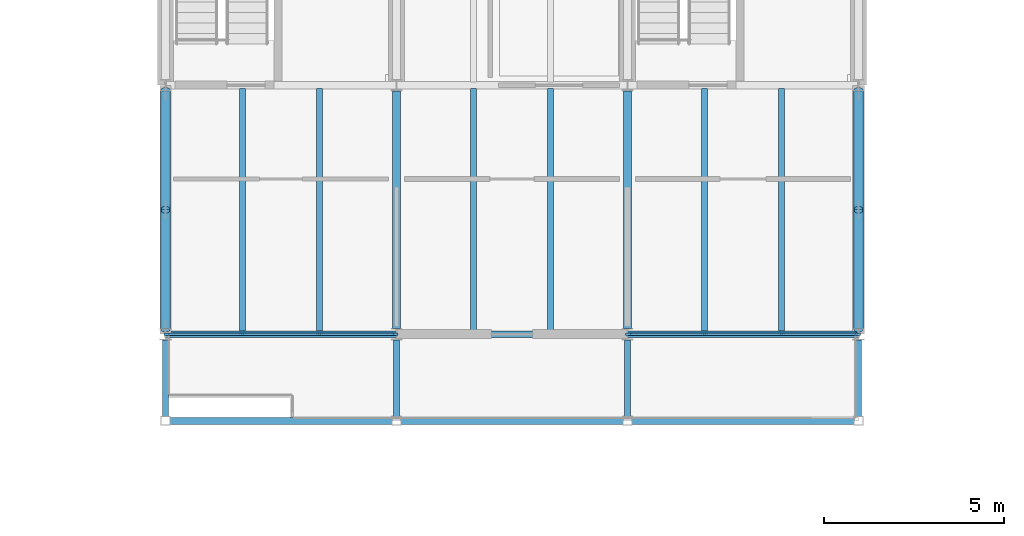
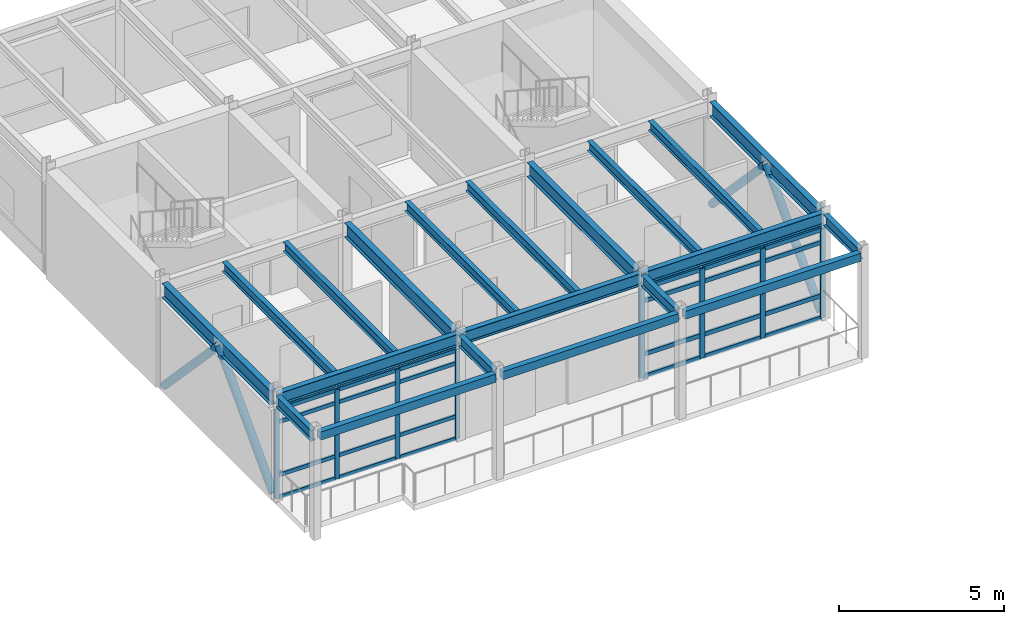
# One storey, part 71 of 144: 36 members, 20 beams, 2 elements without a shape of their own.
"""IFC4 building model written with IfcOpenShell, lengths in metres."""

from ifc_helpers import new_model, si_unit, direction, frame, origin, origin_2d, place, context, subcontext, project, spatial, rectangle, hollow_rectangle, hollow_circle, i_section, extrude, material, layer, layer_set, material_profile, profile_set, type_object, element, aggregate, save


model = new_model("IFC4")

# Units and contexts
model_context = context("Model", 3, precision=1e-05, world=origin(), true_north=direction((0.0, 1.0)))
body_context = subcontext(model_context, "Body", "Model", "MODEL_VIEW")
ifc_project = project(units=[si_unit("LENGTHUNIT", "METRE"), si_unit("AREAUNIT", "SQUARE_METRE"), si_unit("VOLUMEUNIT", "CUBIC_METRE"), si_unit("PLANEANGLEUNIT", "RADIAN"), si_unit("MASSUNIT", "GRAM", prefix="KILO")], contexts=[model_context])

# Site, building, storey
site_placement = place(None, origin())
site = spatial("IfcSite", under=ifc_project, at=site_placement, CompositionType="ELEMENT")
building_placement = place(site_placement, origin())
building = spatial("IfcBuilding", under=site, at=building_placement, Name="Trelmorton Wharf Fire Station", CompositionType="ELEMENT")
storey_placement = place(building_placement, frame((0.0, 0.0, 5.39990234375)))
storey = spatial("IfcBuildingStorey", under=building, at=storey_placement, Name="L01", CompositionType="ELEMENT", Elevation=5.39990234375)

# Beams
ifc_material_1 = material(Name="Steel Grade 350", Category="steel")
ifc_material_profile_1 = material_profile(ifc_material_1, i_section(OverallWidth=0.177978515625, OverallDepth=0.406005859375, WebThickness=0.0078125, FlangeThickness=0.0126953125, FilletRadius=0.011474609375, at=origin_2d()), Name="410UB59.7")
ifc_profile_set_1 = profile_set([ifc_material_profile_1], Name="Steel Grade 350")
beam_type_1 = type_object("IfcBeamType", Name="BM_410UB60", PredefinedType="BEAM", material=ifc_profile_set_1)
beam_1_placement = place(storey_placement, frame((70.800048828125, 58.02099609375, 3.72705078125), z_axis=(0.0, 1.0, 0.0), x_axis=(-1.0, 0.0, 0.0)))
element("IfcBeam", 1, at=beam_1_placement, inside=storey, type_object=beam_type_1, Name="BM-L01-0591", PredefinedType="BEAM", context=body_context, shape_type="SweptSolid", body=[
    extrude(i_section(OverallWidth=0.177978515625, OverallDepth=0.406005859375, WebThickness=0.0078125, FlangeThickness=0.0126953125, FilletRadius=0.011474609375, at=origin_2d()), origin(), (0.0, 0.0, 1.0), 2.12548828125),
])
for number, where, z_axis, x_axis, name in (
    (2, (77.199951171875, 58.02099609375, 3.72705078125), (0.0, 1.0, 0.0), (-1.0, 0.0, 0.0), "BM-L01-0597"),
    (3, (83.60009765625, 58.02099609375, 3.72705078125), (0.0, 1.0, 0.0), (-1.0, 0.0, 0.0), "BM-L01-0605"),
):
    element("IfcBeam", number, at=place(storey_placement, frame(where, z_axis=z_axis, x_axis=x_axis)), inside=storey, type_object=beam_type_1, Name=name, PredefinedType="BEAM", context=body_context, shape_type="SweptSolid", body=[
        extrude(i_section(OverallWidth=0.177978515625, OverallDepth=0.406005859375, WebThickness=0.0078125, FlangeThickness=0.0126953125, FilletRadius=0.011474609375, at=origin_2d()), origin(), (0.0, 0.0, 1.0), 2.119384765625),
    ])
beam_2_placement = place(storey_placement, frame((90.0, 58.02099609375, 3.72705078125), z_axis=(0.0, 1.0, 0.0), x_axis=(-1.0, 0.0, 0.0)))
element("IfcBeam", 4, at=beam_2_placement, inside=storey, type_object=beam_type_1, Name="BM-L01-0610", PredefinedType="BEAM", context=body_context, shape_type="SweptSolid", body=[
    extrude(i_section(OverallWidth=0.177978515625, OverallDepth=0.406005859375, WebThickness=0.0078125, FlangeThickness=0.0126953125, FilletRadius=0.011474609375, at=origin_2d()), origin(), (0.0, 0.0, 1.0), 2.12548828125),
])
ifc_material_profile_2 = material_profile(ifc_material_1, i_section(OverallWidth=0.208984375, OverallDepth=0.532958984375, WebThickness=0.01025390625, FlangeThickness=0.015625, FilletRadius=0.013916015625, at=origin_2d()), Name="530UB92.4")
ifc_profile_set_2 = profile_set([ifc_material_profile_2], Name="Steel Grade 350")
beam_type_2 = type_object("IfcBeamType", Name="BM_530UB92", PredefinedType="BEAM", material=ifc_profile_set_2)
beam_3_placement = place(storey_placement, frame((70.800048828125, 60.45361328125, 3.66357421875), z_axis=(0.0, 1.0, 0.0), x_axis=(-1.0, 0.0, 0.0)))
element("IfcBeam", 5, at=beam_3_placement, inside=storey, type_object=beam_type_2, Name="BM-L01-0592", PredefinedType="BEAM", context=body_context, shape_type="SweptSolid", body=[
    extrude(i_section(OverallWidth=0.208984375, OverallDepth=0.532958984375, WebThickness=0.01025390625, FlangeThickness=0.015625, FilletRadius=0.013916015625, at=origin_2d()), origin(), (0.0, 0.0, 1.0), 6.5869140625),
])
for number, where, z_axis, x_axis, name in (
    (6, (77.199951171875, 60.45947265625, 3.66357421875), (0.0, 1.0, 0.0), (-1.0, 0.0, 0.0), "BM-L01-0598"),
    (7, (83.60009765625, 60.45947265625, 3.66357421875), (0.0, 1.0, 0.0), (-1.0, 0.0, 0.0), "BM-L01-0606"),
):
    element("IfcBeam", number, at=place(storey_placement, frame(where, z_axis=z_axis, x_axis=x_axis)), inside=storey, type_object=beam_type_2, Name=name, PredefinedType="BEAM", context=body_context, shape_type="SweptSolid", body=[
        extrude(i_section(OverallWidth=0.208984375, OverallDepth=0.532958984375, WebThickness=0.01025390625, FlangeThickness=0.015625, FilletRadius=0.013916015625, at=origin_2d()), origin(), (0.0, 0.0, 1.0), 6.5810546875),
    ])
beam_4_placement = place(storey_placement, frame((90.0, 60.45361328125, 3.66357421875), z_axis=(0.0, 1.0, 0.0), x_axis=(-1.0, 0.0, 0.0)))
element("IfcBeam", 8, at=beam_4_placement, inside=storey, type_object=beam_type_2, Name="BM-L01-0611", PredefinedType="BEAM", context=body_context, shape_type="SweptSolid", body=[
    extrude(i_section(OverallWidth=0.208984375, OverallDepth=0.532958984375, WebThickness=0.01025390625, FlangeThickness=0.015625, FilletRadius=0.013916015625, at=origin_2d()), origin(), (0.0, 0.0, 1.0), 6.5869140625),
])
ifc_material_2 = material(Name="Signal-red architectural steel Grade 350", Category="steel")
ifc_material_profile_3 = material_profile(ifc_material_2, hollow_rectangle(XDim=0.199951171875, YDim=0.300048828125, WallThickness=0.012451171875, at=origin_2d()), Name="300x200x12.5RHS")
ifc_profile_set_3 = profile_set([ifc_material_profile_3], Name="Signal-red architectural steel Grade 350")
beam_type_3 = type_object("IfcBeamType", Name="BM_RED_300RHS", PredefinedType="BEAM", material=ifc_profile_set_3)
beam_5_placement = place(storey_placement, frame((70.9208984375, 57.89990234375, 3.780029296875), z_axis=(1.0, 0.0, 0.0), x_axis=(0.0, 1.0, 0.0)))
element("IfcBeam", 9, at=beam_5_placement, inside=storey, type_object=beam_type_3, Name="BM-L01-0484", PredefinedType="BEAM", context=body_context, shape_type="SweptSolid", body=[
    extrude(hollow_rectangle(XDim=0.199951171875, YDim=0.300048828125, WallThickness=0.012451171875, at=origin_2d()), origin(), (0.0, 0.0, 1.0), 6.158203125),
])
for number, where, z_axis, x_axis, name in (
    (10, (77.321044921875, 57.89990234375, 3.780029296875), (1.0, 0.0, 0.0), (0.0, 1.0, 0.0), "BM-L01-0485"),
    (11, (83.720947265625, 57.89990234375, 3.780029296875), (1.0, 0.0, 0.0), (0.0, 1.0, 0.0), "BM-L01-0486"),
):
    element("IfcBeam", number, at=place(storey_placement, frame(where, z_axis=z_axis, x_axis=x_axis)), inside=storey, type_object=beam_type_3, Name=name, PredefinedType="BEAM", context=body_context, shape_type="SweptSolid", body=[
        extrude(hollow_rectangle(XDim=0.199951171875, YDim=0.300048828125, WallThickness=0.012451171875, at=origin_2d()), origin(), (0.0, 0.0, 1.0), 6.157958984375),
    ])

# Members
ifc_material_3 = material(Name="Steel C350L0 (350 MPa)", Category="steel")
ifc_material_profile_4 = material_profile(ifc_material_3, hollow_circle(Radius=0.136474609375, WallThickness=0.00927734375, at=origin_2d()), Name="273.1x9.3CHS")
ifc_profile_set_4 = profile_set([ifc_material_profile_4], Name="Steel C350L0 (350 MPa)")
member_type_1 = type_object("IfcMemberType", Name="BR_273CHS", PredefinedType="BRACE", material=ifc_profile_set_4)
member_1_placement = place(storey_placement, frame((70.800048828125, 60.45458984375, 0.1201171875), z_axis=(0.0, 0.689678137405, 0.72411605892), x_axis=(-1.0, 0.0, 0.0)))
element("IfcMember", 12, at=member_1_placement, inside=storey, type_object=member_type_1, Name="CBF-V2-W-L01-A", PredefinedType="BRACE", context=body_context, shape_type="SweptSolid", body=[
    extrude(hollow_circle(Radius=0.136474609375, WallThickness=0.00927734375, at=origin_2d()), origin(), (0.0, 0.0, 1.0), 4.778076171875),
])
member_2_placement = place(storey_placement, frame((70.800048828125, 67.03955078125, 0.1201171875), z_axis=(0.0, -0.689034330421, 0.724728701999), x_axis=(1.0, 0.0, 0.0)))
element("IfcMember", 13, at=member_2_placement, inside=storey, type_object=member_type_1, Name="CBF-V2-W-L01-B", PredefinedType="BRACE", context=body_context, shape_type="SweptSolid", body=[
    extrude(hollow_circle(Radius=0.136474609375, WallThickness=0.00927734375, at=origin_2d()), origin(), (0.0, 0.0, 1.0), 4.774169921875),
])
member_3_placement = place(storey_placement, frame((90.0, 60.45458984375, 0.1201171875), z_axis=(0.0, 0.689678137405, 0.72411605892), x_axis=(-1.0, 0.0, 0.0)))
element("IfcMember", 14, at=member_3_placement, inside=storey, type_object=member_type_1, Name="CBF-V2-E-L01-A", PredefinedType="BRACE", context=body_context, shape_type="SweptSolid", body=[
    extrude(hollow_circle(Radius=0.136474609375, WallThickness=0.00927734375, at=origin_2d()), origin(), (0.0, 0.0, 1.0), 4.778076171875),
])
member_4_placement = place(storey_placement, frame((90.0, 67.03955078125, 0.1201171875), z_axis=(0.0, -0.689034330421, 0.724728701999), x_axis=(1.0, 0.0, 0.0)))
element("IfcMember", 15, at=member_4_placement, inside=storey, type_object=member_type_1, Name="CBF-V2-E-L01-B", PredefinedType="BRACE", context=body_context, shape_type="SweptSolid", body=[
    extrude(hollow_circle(Radius=0.136474609375, WallThickness=0.00927734375, at=origin_2d()), origin(), (0.0, 0.0, 1.0), 4.774169921875),
])

# Curtain wall, members
ifc_material_4 = material(Name="Anodised aluminium AW-6063", Category="aluminium")
ifc_layer = layer(ifc_material_4, 0.159912109375)
ifc_layer_set = layer_set([ifc_layer], Name="Anodised aluminium AW-6063")
curtain_wall_type = type_object("IfcCurtainWallType", Name="CW_CHIC_A", PredefinedType="USERDEFINED", material=ifc_layer_set)
curtain_wall_1_placement = place(storey_placement, origin())
curtain_wall_1 = element("IfcCurtainWall", 16, at=curtain_wall_1_placement, inside=storey, type_object=curtain_wall_type, Name="CW-V2-L01-099", ObjectType="CHICAGO BAY CURTAIN WALL", PredefinedType="USERDEFINED")
ifc_material_profile_5 = material_profile(ifc_material_4, rectangle(XDim=0.06494140625, YDim=0.159912109375, at=origin_2d()), Name="ALU-65x160")
ifc_profile_set_5 = profile_set([ifc_material_profile_5], Name="Anodised aluminium AW-6063")
member_type_2 = type_object("IfcMemberType", Name="CWM_65x160", PredefinedType="MULLION", material=ifc_profile_set_5)
member_5_placement = place(storey_placement, frame((77.1650390625, 60.300048828125, 0.0), z_axis=(0.0, 0.0, 1.0), x_axis=(0.0, -1.0, 0.0)))
member_5 = element("IfcMember", 17, at=member_5_placement, type_object=member_type_2, Name="CW1 mullion 1", PredefinedType="MULLION", context=body_context, shape_type="SweptSolid", body=[
    extrude(rectangle(XDim=0.06494140625, YDim=0.159912109375, at=origin_2d()), origin(), (0.0, 0.0, 1.0), 3.320068359375),
])
member_6_placement = place(storey_placement, frame((75.06494140625, 60.300048828125, 0.0), z_axis=(0.0, 0.0, 1.0), x_axis=(0.0, -1.0, 0.0)))
member_6 = element("IfcMember", 18, at=member_6_placement, type_object=member_type_2, Name="CW1 mullion 2", PredefinedType="MULLION", context=body_context, shape_type="SweptSolid", body=[
    extrude(rectangle(XDim=0.06494140625, YDim=0.159912109375, at=origin_2d()), origin(), (0.0, 0.0, 1.0), 3.320068359375),
])
member_7_placement = place(storey_placement, frame((72.93505859375, 60.300048828125, 0.0), z_axis=(0.0, 0.0, 1.0), x_axis=(0.0, -1.0, 0.0)))
member_7 = element("IfcMember", 19, at=member_7_placement, type_object=member_type_2, Name="CW1 mullion 3", PredefinedType="MULLION", context=body_context, shape_type="SweptSolid", body=[
    extrude(rectangle(XDim=0.06494140625, YDim=0.159912109375, at=origin_2d()), origin(), (0.0, 0.0, 1.0), 3.320068359375),
])
member_8_placement = place(storey_placement, frame((70.8349609375, 60.300048828125, 0.0), z_axis=(0.0, 0.0, 1.0), x_axis=(0.0, -1.0, 0.0)))
member_8 = element("IfcMember", 20, at=member_8_placement, type_object=member_type_2, Name="CW1 mullion 4", PredefinedType="MULLION", context=body_context, shape_type="SweptSolid", body=[
    extrude(rectangle(XDim=0.06494140625, YDim=0.159912109375, at=origin_2d()), origin(), (0.0, 0.0, 1.0), 3.320068359375),
])

curtain_wall_2_placement = place(storey_placement, origin())
curtain_wall_2 = element("IfcCurtainWall", 21, at=curtain_wall_2_placement, inside=storey, type_object=curtain_wall_type, Name="CW-V2-L01-100", ObjectType="CHICAGO BAY CURTAIN WALL", PredefinedType="USERDEFINED")
ifc_material_profile_6 = material_profile(ifc_material_4, rectangle(XDim=0.074951171875, YDim=0.175048828125, at=origin_2d()), Name="ALU-75x175")
ifc_profile_set_6 = profile_set([ifc_material_profile_6], Name="Anodised aluminium AW-6063")
member_type_3 = type_object("IfcMemberType", Name="CWM_75x175", PredefinedType="MULLION", material=ifc_profile_set_6)
member_9_placement = place(storey_placement, frame((89.965087890625, 60.300048828125, 0.0), z_axis=(0.0, 0.0, 1.0), x_axis=(0.0, -1.0, 0.0)))
member_9 = element("IfcMember", 22, at=member_9_placement, type_object=member_type_3, Name="CW1 mullion 1", PredefinedType="MULLION", context=body_context, shape_type="SweptSolid", body=[
    extrude(rectangle(XDim=0.074951171875, YDim=0.175048828125, at=origin_2d()), origin(), (0.0, 0.0, 1.0), 3.320068359375),
])
member_10_placement = place(storey_placement, frame((87.864990234375, 60.300048828125, 0.0), z_axis=(0.0, 0.0, 1.0), x_axis=(0.0, -1.0, 0.0)))
member_10 = element("IfcMember", 23, at=member_10_placement, type_object=member_type_3, Name="CW1 mullion 2", PredefinedType="MULLION", context=body_context, shape_type="SweptSolid", body=[
    extrude(rectangle(XDim=0.074951171875, YDim=0.175048828125, at=origin_2d()), origin(), (0.0, 0.0, 1.0), 3.320068359375),
])
member_11_placement = place(storey_placement, frame((85.735107421875, 60.300048828125, 0.0), z_axis=(0.0, 0.0, 1.0), x_axis=(0.0, -1.0, 0.0)))
member_11 = element("IfcMember", 24, at=member_11_placement, type_object=member_type_3, Name="CW1 mullion 3", PredefinedType="MULLION", context=body_context, shape_type="SweptSolid", body=[
    extrude(rectangle(XDim=0.074951171875, YDim=0.175048828125, at=origin_2d()), origin(), (0.0, 0.0, 1.0), 3.320068359375),
])
member_12_placement = place(storey_placement, frame((83.635009765625, 60.300048828125, 0.0), z_axis=(0.0, 0.0, 1.0), x_axis=(0.0, -1.0, 0.0)))
member_12 = element("IfcMember", 25, at=member_12_placement, type_object=member_type_3, Name="CW1 mullion 4", PredefinedType="MULLION", context=body_context, shape_type="SweptSolid", body=[
    extrude(rectangle(XDim=0.074951171875, YDim=0.175048828125, at=origin_2d()), origin(), (0.0, 0.0, 1.0), 3.320068359375),
])

# Member
ifc_material_profile_7 = material_profile(ifc_material_4, rectangle(XDim=0.06494140625, YDim=0.139892578125, at=origin_2d()), Name="ALU-65x140")
ifc_profile_set_7 = profile_set([ifc_material_profile_7], Name="Anodised aluminium AW-6063")
member_type_4 = type_object("IfcMemberType", Name="CWT_65x140", PredefinedType="USERDEFINED", material=ifc_profile_set_7)
member_13_placement = place(storey_placement, frame((77.135009765625, 60.300048828125, 0.030029296875), z_axis=(-1.0, 0.0, 0.0), x_axis=(0.0, -1.0, 0.0)))
member_13 = element("IfcMember", 26, at=member_13_placement, type_object=member_type_4, Name="CW1 transom 1.1", ObjectType="TRANSOM", PredefinedType="USERDEFINED", context=body_context, shape_type="SweptSolid", body=[
    extrude(rectangle(XDim=0.06494140625, YDim=0.139892578125, at=origin_2d()), origin(), (0.0, 0.0, 1.0), 2.0400390625),
])

member_14_placement = place(storey_placement, frame((77.135009765625, 60.300048828125, 0.85009765625), z_axis=(-1.0, 0.0, 0.0), x_axis=(0.0, -1.0, 0.0)))
member_14 = element("IfcMember", 27, at=member_14_placement, type_object=member_type_4, Name="CW1 transom 1.2", ObjectType="TRANSOM", PredefinedType="USERDEFINED", context=body_context, shape_type="SweptSolid", body=[
    extrude(rectangle(XDim=0.06494140625, YDim=0.139892578125, at=origin_2d()), origin(), (0.0, 0.0, 1.0), 2.0400390625),
])

member_15_placement = place(storey_placement, frame((77.135009765625, 60.300048828125, 2.820068359375), z_axis=(-1.0, 0.0, 0.0), x_axis=(0.0, -1.0, 0.0)))
member_15 = element("IfcMember", 28, at=member_15_placement, type_object=member_type_4, Name="CW1 transom 1.3", ObjectType="TRANSOM", PredefinedType="USERDEFINED", context=body_context, shape_type="SweptSolid", body=[
    extrude(rectangle(XDim=0.06494140625, YDim=0.139892578125, at=origin_2d()), origin(), (0.0, 0.0, 1.0), 2.0400390625),
])

member_16_placement = place(storey_placement, frame((77.135009765625, 60.300048828125, 3.2900390625), z_axis=(-1.0, 0.0, 0.0), x_axis=(0.0, -1.0, 0.0)))
member_16 = element("IfcMember", 29, at=member_16_placement, type_object=member_type_4, Name="CW1 transom 1.4", ObjectType="TRANSOM", PredefinedType="USERDEFINED", context=body_context, shape_type="SweptSolid", body=[
    extrude(rectangle(XDim=0.06494140625, YDim=0.139892578125, at=origin_2d()), origin(), (0.0, 0.0, 1.0), 2.0400390625),
])

member_17_placement = place(storey_placement, frame((75.034912109375, 60.300048828125, 0.030029296875), z_axis=(-1.0, 0.0, 0.0), x_axis=(0.0, -1.0, 0.0)))
member_17 = element("IfcMember", 30, at=member_17_placement, type_object=member_type_4, Name="CW1 transom 2.1", ObjectType="TRANSOM", PredefinedType="USERDEFINED", context=body_context, shape_type="SweptSolid", body=[
    extrude(rectangle(XDim=0.06494140625, YDim=0.139892578125, at=origin_2d()), origin(), (0.0, 0.0, 1.0), 2.06982421875),
])

member_18_placement = place(storey_placement, frame((75.034912109375, 60.300048828125, 0.85009765625), z_axis=(-1.0, 0.0, 0.0), x_axis=(0.0, -1.0, 0.0)))
member_18 = element("IfcMember", 31, at=member_18_placement, type_object=member_type_4, Name="CW1 transom 2.2", ObjectType="TRANSOM", PredefinedType="USERDEFINED", context=body_context, shape_type="SweptSolid", body=[
    extrude(rectangle(XDim=0.06494140625, YDim=0.139892578125, at=origin_2d()), origin(), (0.0, 0.0, 1.0), 2.06982421875),
])

member_19_placement = place(storey_placement, frame((75.034912109375, 60.300048828125, 2.820068359375), z_axis=(-1.0, 0.0, 0.0), x_axis=(0.0, -1.0, 0.0)))
member_19 = element("IfcMember", 32, at=member_19_placement, type_object=member_type_4, Name="CW1 transom 2.3", ObjectType="TRANSOM", PredefinedType="USERDEFINED", context=body_context, shape_type="SweptSolid", body=[
    extrude(rectangle(XDim=0.06494140625, YDim=0.139892578125, at=origin_2d()), origin(), (0.0, 0.0, 1.0), 2.06982421875),
])

member_20_placement = place(storey_placement, frame((75.034912109375, 60.300048828125, 3.2900390625), z_axis=(-1.0, 0.0, 0.0), x_axis=(0.0, -1.0, 0.0)))
member_20 = element("IfcMember", 33, at=member_20_placement, type_object=member_type_4, Name="CW1 transom 2.4", ObjectType="TRANSOM", PredefinedType="USERDEFINED", context=body_context, shape_type="SweptSolid", body=[
    extrude(rectangle(XDim=0.06494140625, YDim=0.139892578125, at=origin_2d()), origin(), (0.0, 0.0, 1.0), 2.06982421875),
])

member_21_placement = place(storey_placement, frame((72.905029296875, 60.300048828125, 0.030029296875), z_axis=(-1.0, 0.0, 0.0), x_axis=(0.0, -1.0, 0.0)))
member_21 = element("IfcMember", 34, at=member_21_placement, type_object=member_type_4, Name="CW1 transom 3.1", ObjectType="TRANSOM", PredefinedType="USERDEFINED", context=body_context, shape_type="SweptSolid", body=[
    extrude(rectangle(XDim=0.06494140625, YDim=0.139892578125, at=origin_2d()), origin(), (0.0, 0.0, 1.0), 2.0400390625),
])

member_22_placement = place(storey_placement, frame((72.905029296875, 60.300048828125, 0.85009765625), z_axis=(-1.0, 0.0, 0.0), x_axis=(0.0, -1.0, 0.0)))
member_22 = element("IfcMember", 35, at=member_22_placement, type_object=member_type_4, Name="CW1 transom 3.2", ObjectType="TRANSOM", PredefinedType="USERDEFINED", context=body_context, shape_type="SweptSolid", body=[
    extrude(rectangle(XDim=0.06494140625, YDim=0.139892578125, at=origin_2d()), origin(), (0.0, 0.0, 1.0), 2.0400390625),
])

member_23_placement = place(storey_placement, frame((72.905029296875, 60.300048828125, 2.820068359375), z_axis=(-1.0, 0.0, 0.0), x_axis=(0.0, -1.0, 0.0)))
member_23 = element("IfcMember", 36, at=member_23_placement, type_object=member_type_4, Name="CW1 transom 3.3", ObjectType="TRANSOM", PredefinedType="USERDEFINED", context=body_context, shape_type="SweptSolid", body=[
    extrude(rectangle(XDim=0.06494140625, YDim=0.139892578125, at=origin_2d()), origin(), (0.0, 0.0, 1.0), 2.0400390625),
])

member_24_placement = place(storey_placement, frame((72.905029296875, 60.300048828125, 3.2900390625), z_axis=(-1.0, 0.0, 0.0), x_axis=(0.0, -1.0, 0.0)))
member_24 = element("IfcMember", 37, at=member_24_placement, type_object=member_type_4, Name="CW1 transom 3.4", ObjectType="TRANSOM", PredefinedType="USERDEFINED", context=body_context, shape_type="SweptSolid", body=[
    extrude(rectangle(XDim=0.06494140625, YDim=0.139892578125, at=origin_2d()), origin(), (0.0, 0.0, 1.0), 2.0400390625),
])

aggregate(curtain_wall_1, [member_5, member_6, member_7, member_8, member_13, member_14, member_15, member_16, member_17, member_18, member_19, member_20, member_21, member_22, member_23, member_24])

ifc_material_profile_8 = material_profile(ifc_material_4, rectangle(XDim=0.074951171875, YDim=0.155029296875, at=origin_2d()), Name="ALU-75x155")
ifc_profile_set_8 = profile_set([ifc_material_profile_8], Name="Anodised aluminium AW-6063")
member_type_5 = type_object("IfcMemberType", Name="CWT_75x155", PredefinedType="USERDEFINED", material=ifc_profile_set_8)
member_25_placement = place(storey_placement, frame((89.93505859375, 60.300048828125, 0.030029296875), z_axis=(-1.0, 0.0, 0.0), x_axis=(0.0, -1.0, 0.0)))
member_25 = element("IfcMember", 38, at=member_25_placement, type_object=member_type_5, Name="CW1 transom 1.1", ObjectType="TRANSOM", PredefinedType="USERDEFINED", context=body_context, shape_type="SweptSolid", body=[
    extrude(rectangle(XDim=0.074951171875, YDim=0.155029296875, at=origin_2d()), origin(), (0.0, 0.0, 1.0), 2.0400390625),
])

member_26_placement = place(storey_placement, frame((89.93505859375, 60.300048828125, 0.85009765625), z_axis=(-1.0, 0.0, 0.0), x_axis=(0.0, -1.0, 0.0)))
member_26 = element("IfcMember", 39, at=member_26_placement, type_object=member_type_5, Name="CW1 transom 1.2", ObjectType="TRANSOM", PredefinedType="USERDEFINED", context=body_context, shape_type="SweptSolid", body=[
    extrude(rectangle(XDim=0.074951171875, YDim=0.155029296875, at=origin_2d()), origin(), (0.0, 0.0, 1.0), 2.0400390625),
])

member_27_placement = place(storey_placement, frame((89.93505859375, 60.300048828125, 2.820068359375), z_axis=(-1.0, 0.0, 0.0), x_axis=(0.0, -1.0, 0.0)))
member_27 = element("IfcMember", 40, at=member_27_placement, type_object=member_type_5, Name="CW1 transom 1.3", ObjectType="TRANSOM", PredefinedType="USERDEFINED", context=body_context, shape_type="SweptSolid", body=[
    extrude(rectangle(XDim=0.074951171875, YDim=0.155029296875, at=origin_2d()), origin(), (0.0, 0.0, 1.0), 2.0400390625),
])

member_28_placement = place(storey_placement, frame((89.93505859375, 60.300048828125, 3.2900390625), z_axis=(-1.0, 0.0, 0.0), x_axis=(0.0, -1.0, 0.0)))
member_28 = element("IfcMember", 41, at=member_28_placement, type_object=member_type_5, Name="CW1 transom 1.4", ObjectType="TRANSOM", PredefinedType="USERDEFINED", context=body_context, shape_type="SweptSolid", body=[
    extrude(rectangle(XDim=0.074951171875, YDim=0.155029296875, at=origin_2d()), origin(), (0.0, 0.0, 1.0), 2.0400390625),
])

member_29_placement = place(storey_placement, frame((87.8349609375, 60.300048828125, 0.030029296875), z_axis=(-1.0, 0.0, 0.0), x_axis=(0.0, -1.0, 0.0)))
member_29 = element("IfcMember", 42, at=member_29_placement, type_object=member_type_5, Name="CW1 transom 2.1", ObjectType="TRANSOM", PredefinedType="USERDEFINED", context=body_context, shape_type="SweptSolid", body=[
    extrude(rectangle(XDim=0.074951171875, YDim=0.155029296875, at=origin_2d()), origin(), (0.0, 0.0, 1.0), 2.070068359375),
])

member_30_placement = place(storey_placement, frame((87.8349609375, 60.300048828125, 0.85009765625), z_axis=(-1.0, 0.0, 0.0), x_axis=(0.0, -1.0, 0.0)))
member_30 = element("IfcMember", 43, at=member_30_placement, type_object=member_type_5, Name="CW1 transom 2.2", ObjectType="TRANSOM", PredefinedType="USERDEFINED", context=body_context, shape_type="SweptSolid", body=[
    extrude(rectangle(XDim=0.074951171875, YDim=0.155029296875, at=origin_2d()), origin(), (0.0, 0.0, 1.0), 2.070068359375),
])

member_31_placement = place(storey_placement, frame((87.8349609375, 60.300048828125, 2.820068359375), z_axis=(-1.0, 0.0, 0.0), x_axis=(0.0, -1.0, 0.0)))
member_31 = element("IfcMember", 44, at=member_31_placement, type_object=member_type_5, Name="CW1 transom 2.3", ObjectType="TRANSOM", PredefinedType="USERDEFINED", context=body_context, shape_type="SweptSolid", body=[
    extrude(rectangle(XDim=0.074951171875, YDim=0.155029296875, at=origin_2d()), origin(), (0.0, 0.0, 1.0), 2.070068359375),
])

member_32_placement = place(storey_placement, frame((87.8349609375, 60.300048828125, 3.2900390625), z_axis=(-1.0, 0.0, 0.0), x_axis=(0.0, -1.0, 0.0)))
member_32 = element("IfcMember", 45, at=member_32_placement, type_object=member_type_5, Name="CW1 transom 2.4", ObjectType="TRANSOM", PredefinedType="USERDEFINED", context=body_context, shape_type="SweptSolid", body=[
    extrude(rectangle(XDim=0.074951171875, YDim=0.155029296875, at=origin_2d()), origin(), (0.0, 0.0, 1.0), 2.070068359375),
])

member_33_placement = place(storey_placement, frame((85.705078125, 60.300048828125, 0.030029296875), z_axis=(-1.0, 0.0, 0.0), x_axis=(0.0, -1.0, 0.0)))
member_33 = element("IfcMember", 46, at=member_33_placement, type_object=member_type_5, Name="CW1 transom 3.1", ObjectType="TRANSOM", PredefinedType="USERDEFINED", context=body_context, shape_type="SweptSolid", body=[
    extrude(rectangle(XDim=0.074951171875, YDim=0.155029296875, at=origin_2d()), origin(), (0.0, 0.0, 1.0), 2.0400390625),
])

member_34_placement = place(storey_placement, frame((85.705078125, 60.300048828125, 0.85009765625), z_axis=(-1.0, 0.0, 0.0), x_axis=(0.0, -1.0, 0.0)))
member_34 = element("IfcMember", 47, at=member_34_placement, type_object=member_type_5, Name="CW1 transom 3.2", ObjectType="TRANSOM", PredefinedType="USERDEFINED", context=body_context, shape_type="SweptSolid", body=[
    extrude(rectangle(XDim=0.074951171875, YDim=0.155029296875, at=origin_2d()), origin(), (0.0, 0.0, 1.0), 2.0400390625),
])

member_35_placement = place(storey_placement, frame((85.705078125, 60.300048828125, 2.820068359375), z_axis=(-1.0, 0.0, 0.0), x_axis=(0.0, -1.0, 0.0)))
member_35 = element("IfcMember", 48, at=member_35_placement, type_object=member_type_5, Name="CW1 transom 3.3", ObjectType="TRANSOM", PredefinedType="USERDEFINED", context=body_context, shape_type="SweptSolid", body=[
    extrude(rectangle(XDim=0.074951171875, YDim=0.155029296875, at=origin_2d()), origin(), (0.0, 0.0, 1.0), 2.0400390625),
])

member_36_placement = place(storey_placement, frame((85.705078125, 60.300048828125, 3.2900390625), z_axis=(-1.0, 0.0, 0.0), x_axis=(0.0, -1.0, 0.0)))
member_36 = element("IfcMember", 49, at=member_36_placement, type_object=member_type_5, Name="CW1 transom 3.4", ObjectType="TRANSOM", PredefinedType="USERDEFINED", context=body_context, shape_type="SweptSolid", body=[
    extrude(rectangle(XDim=0.074951171875, YDim=0.155029296875, at=origin_2d()), origin(), (0.0, 0.0, 1.0), 2.0400390625),
])

aggregate(curtain_wall_2, [member_9, member_10, member_11, member_12, member_25, member_26, member_27, member_28, member_29, member_30, member_31, member_32, member_33, member_34, member_35, member_36])

# Beams
ifc_material_profile_9 = material_profile(ifc_material_1, i_section(OverallWidth=0.172119140625, OverallDepth=0.35888671875, WebThickness=0.008056640625, FlangeThickness=0.012939453125, FilletRadius=0.011474609375, at=origin_2d()), Name="360UB56.7")
ifc_profile_set_9 = profile_set([ifc_material_profile_9], Name="Steel Grade 350")
beam_type_4 = type_object("IfcBeamType", Name="JS_360UB57", PredefinedType="JOIST", material=ifc_profile_set_9)
for number, where, z_axis, x_axis, name in (
    (50, (72.933349609375, 60.389892578125, 3.75048828125), (0.0, 1.0, 0.0), (-1.0, 0.0, 0.0), "JS-L01-0141"),
    (51, (75.066650390625, 60.389892578125, 3.75048828125), (0.0, 1.0, 0.0), (-1.0, 0.0, 0.0), "JS-L01-0142"),
    (52, (79.333251953125, 60.389892578125, 3.75048828125), (0.0, 1.0, 0.0), (-1.0, 0.0, 0.0), "JS-L01-0145"),
    (53, (81.466796875, 60.389892578125, 3.75048828125), (0.0, 1.0, 0.0), (-1.0, 0.0, 0.0), "JS-L01-0146"),
    (54, (85.7333984375, 60.389892578125, 3.75048828125), (0.0, 1.0, 0.0), (-1.0, 0.0, 0.0), "JS-L01-0151"),
    (55, (87.86669921875, 60.389892578125, 3.75048828125), (0.0, 1.0, 0.0), (-1.0, 0.0, 0.0), "JS-L01-0152"),
):
    element("IfcBeam", number, at=place(storey_placement, frame(where, z_axis=z_axis, x_axis=x_axis)), inside=storey, type_object=beam_type_4, Name=name, PredefinedType="JOIST", context=body_context, shape_type="SweptSolid", body=[
        extrude(i_section(OverallWidth=0.172119140625, OverallDepth=0.35888671875, WebThickness=0.008056640625, FlangeThickness=0.012939453125, FilletRadius=0.011474609375, at=origin_2d()), origin(), (0.0, 0.0, 1.0), 6.72021484375),
    ])
ifc_material_profile_10 = material_profile(ifc_material_1, i_section(OverallWidth=0.18994140625, OverallDepth=0.45703125, WebThickness=0.009033203125, FlangeThickness=0.014404296875, FilletRadius=0.011474609375, at=origin_2d()), Name="460UB74.6")
ifc_profile_set_10 = profile_set([ifc_material_profile_10], Name="Steel Grade 350")
beam_type_5 = type_object("IfcBeamType", Name="SP_460UB75", PredefinedType="SPANDREL", material=ifc_profile_set_10)
beam_6_placement = place(storey_placement, frame((70.803955078125, 60.300048828125, 3.70166015625), z_axis=(1.0, 0.0, 0.0), x_axis=(0.0, 1.0, 0.0)))
element("IfcBeam", 56, at=beam_6_placement, inside=storey, type_object=beam_type_5, Name="BM-L01-0494", PredefinedType="SPANDREL", context=body_context, shape_type="SweptSolid", body=[
    extrude(i_section(OverallWidth=0.18994140625, OverallDepth=0.45703125, WebThickness=0.009033203125, FlangeThickness=0.014404296875, FilletRadius=0.011474609375, at=origin_2d()), origin(), (0.0, 0.0, 1.0), 6.39013671875),
])
beam_7_placement = place(storey_placement, frame((77.205810546875, 60.300048828125, 3.70166015625), z_axis=(1.0, 0.0, 0.0), x_axis=(0.0, 1.0, 0.0)))
element("IfcBeam", 57, at=beam_7_placement, inside=storey, type_object=beam_type_5, Name="BM-L01-0495", PredefinedType="SPANDREL", context=body_context, shape_type="SweptSolid", body=[
    extrude(i_section(OverallWidth=0.18994140625, OverallDepth=0.45703125, WebThickness=0.009033203125, FlangeThickness=0.014404296875, FilletRadius=0.011474609375, at=origin_2d()), origin(), (0.0, 0.0, 1.0), 6.38818359375),
])
beam_8_placement = place(storey_placement, frame((83.605712890625, 60.300048828125, 3.70166015625), z_axis=(1.0, 0.0, 0.0), x_axis=(0.0, 1.0, 0.0)))
element("IfcBeam", 58, at=beam_8_placement, inside=storey, type_object=beam_type_5, Name="BM-L01-0496", PredefinedType="SPANDREL", context=body_context, shape_type="SweptSolid", body=[
    extrude(i_section(OverallWidth=0.18994140625, OverallDepth=0.45703125, WebThickness=0.009033203125, FlangeThickness=0.014404296875, FilletRadius=0.011474609375, at=origin_2d()), origin(), (0.0, 0.0, 1.0), 6.390380859375),
])

save(model, "model.ifc")
